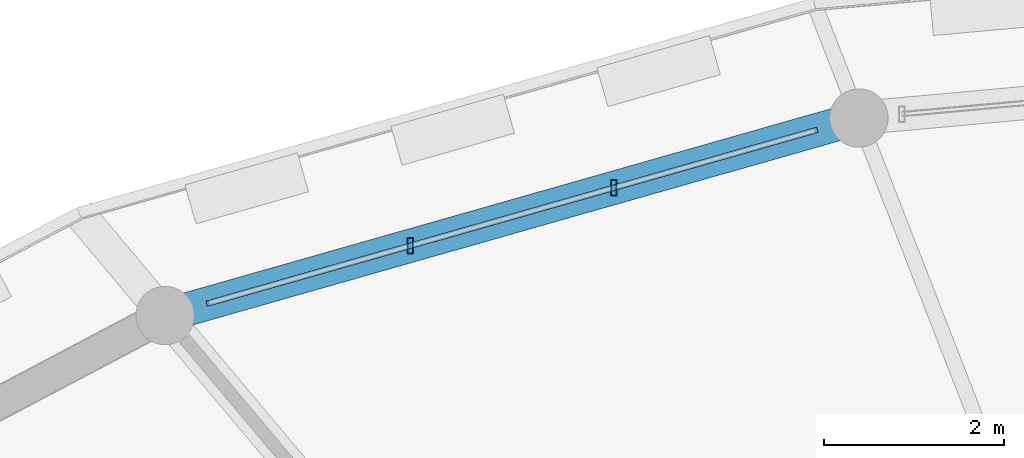
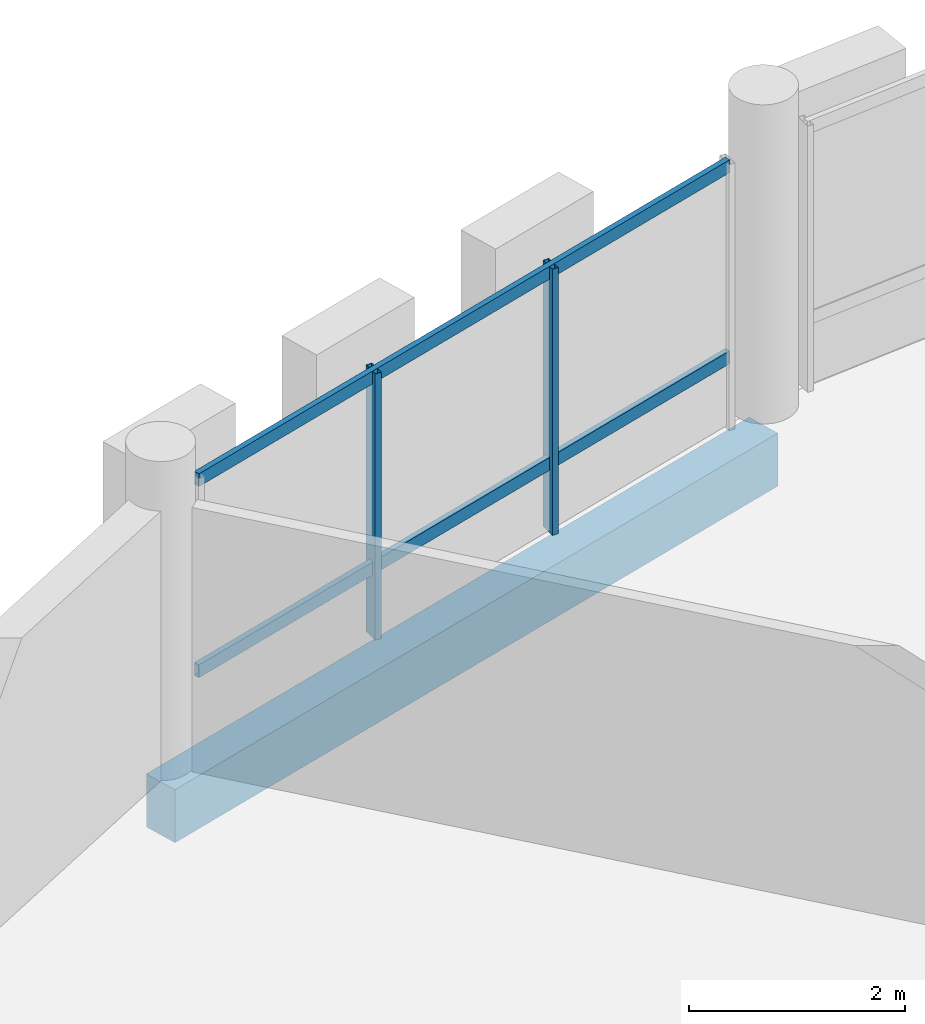
# One storey, part 43 of 93: 4 members, 1 beam, 1 element without a shape of its own.
"""IFC4 building model written with IfcOpenShell, lengths in metres."""

from ifc_helpers import new_model, si_unit, direction, frame, origin, origin_2d, place, context, subcontext, project, spatial, rectangle, hollow_rectangle, extrude, material, material_profile, profile_set, type_object, element, aggregate, save


model = new_model("IFC4")

# Units and contexts
model_context = context("Model", 3, precision=1e-05, world=origin(), true_north=direction((0.0, 1.0)))
body_context = subcontext(model_context, "Body", "Model", "MODEL_VIEW")
ifc_project = project(units=[si_unit("LENGTHUNIT", "METRE"), si_unit("AREAUNIT", "SQUARE_METRE"), si_unit("VOLUMEUNIT", "CUBIC_METRE"), si_unit("PLANEANGLEUNIT", "RADIAN"), si_unit("MASSUNIT", "GRAM", prefix="KILO")], contexts=[model_context])

# Site, building, storey
site_placement = place(None, origin())
site = spatial("IfcSite", under=ifc_project, at=site_placement, CompositionType="ELEMENT")
building_placement = place(site_placement, origin())
building = spatial("IfcBuilding", under=site, at=building_placement, Name="Zornivar Specialist Clinic", CompositionType="ELEMENT")
storey_placement = place(building_placement, frame((0.0, 0.0, 8.39990234375)))
storey = spatial("IfcBuildingStorey", under=building, at=storey_placement, Name="L02", CompositionType="ELEMENT", Elevation=8.39990234375)

# Beam
ifc_material_1 = material(Name="Concrete C30/37", Category="concrete")
ifc_material_profile_1 = material_profile(ifc_material_1, rectangle(XDim=0.3701171875, YDim=0.60009765625, at=origin_2d()), Name="RC 370x600")
ifc_profile_set_1 = profile_set([ifc_material_profile_1], Name="Concrete C30/37")
beam_type = type_object("IfcBeamType", Name="BM-RC-SPANDREL-370x600", PredefinedType="SPANDREL", material=ifc_profile_set_1)
beam_placement = place(storey_placement, frame((85.318115234375, 78.85009765625, -0.539794921875), z_axis=(-0.961790992591, -0.273784744957, 0.0), x_axis=(0.273784744957, -0.961790992591, 0.0)))
element("IfcBeam", 1, at=beam_placement, inside=storey, type_object=beam_type, Name="bm:V1:L02:outring:07", PredefinedType="SPANDREL", context=body_context, shape_type="SweptSolid", body=[
    extrude(rectangle(XDim=0.3701171875, YDim=0.60009765625, at=origin_2d()), origin(), (0.0, 0.0, 1.0), 8.024658203125),
])

# Curtain wall, members
ifc_material_2 = material(Name="Aluminium and Low-E Glass Curtain Wall", Category="aluminium")
curtain_wall_type = type_object("IfcCurtainWallType", Name="CW-DRUM-FACET", PredefinedType="NOTDEFINED", material=ifc_material_2)
curtain_wall_placement = place(storey_placement, origin())
curtain_wall = element("IfcCurtainWall", 2, at=curtain_wall_placement, inside=storey, type_object=curtain_wall_type, Name="cw:V1:L02:c07", PredefinedType="NOTDEFINED")
ifc_material_3 = material(Name="Aluminium AW-6060", Category="aluminium")
ifc_material_profile_2 = material_profile(ifc_material_3, hollow_rectangle(XDim=0.06494140625, YDim=0.175048828125, WallThickness=0.00439453125, at=origin_2d()), Name="ALU 65x175x4.5")
ifc_profile_set_2 = profile_set([ifc_material_profile_2], Name="Aluminium AW-6060")
member_type_1 = type_object("IfcMemberType", Name="CWM-MUL-175", PredefinedType="MULLION", material=ifc_profile_set_2)
member_1_placement = place(storey_placement, frame((82.592041015625, 78.073974609375, 0.0), z_axis=(0.0, 0.0, 1.0), x_axis=(1.0, 0.0, 0.0)))
member_1 = element("IfcMember", 3, at=member_1_placement, type_object=member_type_1, Name="cw:V1:L02:c07:mul:1", PredefinedType="MULLION", context=body_context, shape_type="SweptSolid", body=[
    extrude(hollow_rectangle(XDim=0.06494140625, YDim=0.175048828125, WallThickness=0.00439453125, at=origin_2d()), origin(), (0.0, 0.0, 1.0), 3.010009765625),
])
member_2_placement = place(storey_placement, frame((80.325927734375, 77.429931640625, 0.0), z_axis=(0.0, 0.0, 1.0), x_axis=(1.0, 0.0, 0.0)))
member_2 = element("IfcMember", 4, at=member_2_placement, type_object=member_type_1, Name="cw:V1:L02:c07:mul:2", PredefinedType="MULLION", context=body_context, shape_type="SweptSolid", body=[
    extrude(hollow_rectangle(XDim=0.06494140625, YDim=0.175048828125, WallThickness=0.00439453125, at=origin_2d()), origin(), (0.0, 0.0, 1.0), 3.010009765625),
])
ifc_material_4 = material(Name="Aluminium AW-6060", Category="aluminium")
ifc_material_profile_3 = material_profile(ifc_material_4, hollow_rectangle(XDim=0.06005859375, YDim=0.14501953125, WallThickness=0.00390625, at=origin_2d()), Name="ALU 60x145x4")
ifc_profile_set_3 = profile_set([ifc_material_profile_3], Name="Aluminium AW-6060")
member_type_2 = type_object("IfcMemberType", Name="CWM-TRN-145", PredefinedType="USERDEFINED", material=ifc_profile_set_3)
member_3_placement = place(storey_placement, frame((84.85693359375, 78.718994140625, 0.783203125), z_axis=(-0.961771283353, -0.27385397298, 0.0), x_axis=(0.27385397298, -0.961771283353, 0.0)))
member_3 = element("IfcMember", 5, at=member_3_placement, type_object=member_type_2, Name="cw:V1:L02:c07:trn:0", ObjectType="TRANSOM", PredefinedType="USERDEFINED", context=body_context, shape_type="SweptSolid", body=[
    extrude(hollow_rectangle(XDim=0.06005859375, YDim=0.14501953125, WallThickness=0.00390625, at=origin_2d()), origin(), (0.0, 0.0, 1.0), 7.06591796875),
])
member_4_placement = place(storey_placement, frame((84.85693359375, 78.718994140625, 2.945068359375), z_axis=(-0.961771283353, -0.27385397298, 0.0), x_axis=(0.27385397298, -0.961771283353, 0.0)))
member_4 = element("IfcMember", 6, at=member_4_placement, type_object=member_type_2, Name="cw:V1:L02:c07:trn:1", ObjectType="TRANSOM", PredefinedType="USERDEFINED", context=body_context, shape_type="SweptSolid", body=[
    extrude(hollow_rectangle(XDim=0.06005859375, YDim=0.14501953125, WallThickness=0.00390625, at=origin_2d()), origin(), (0.0, 0.0, 1.0), 7.06591796875),
])
aggregate(curtain_wall, [member_1, member_2, member_3, member_4])

save(model, "model.ifc")
